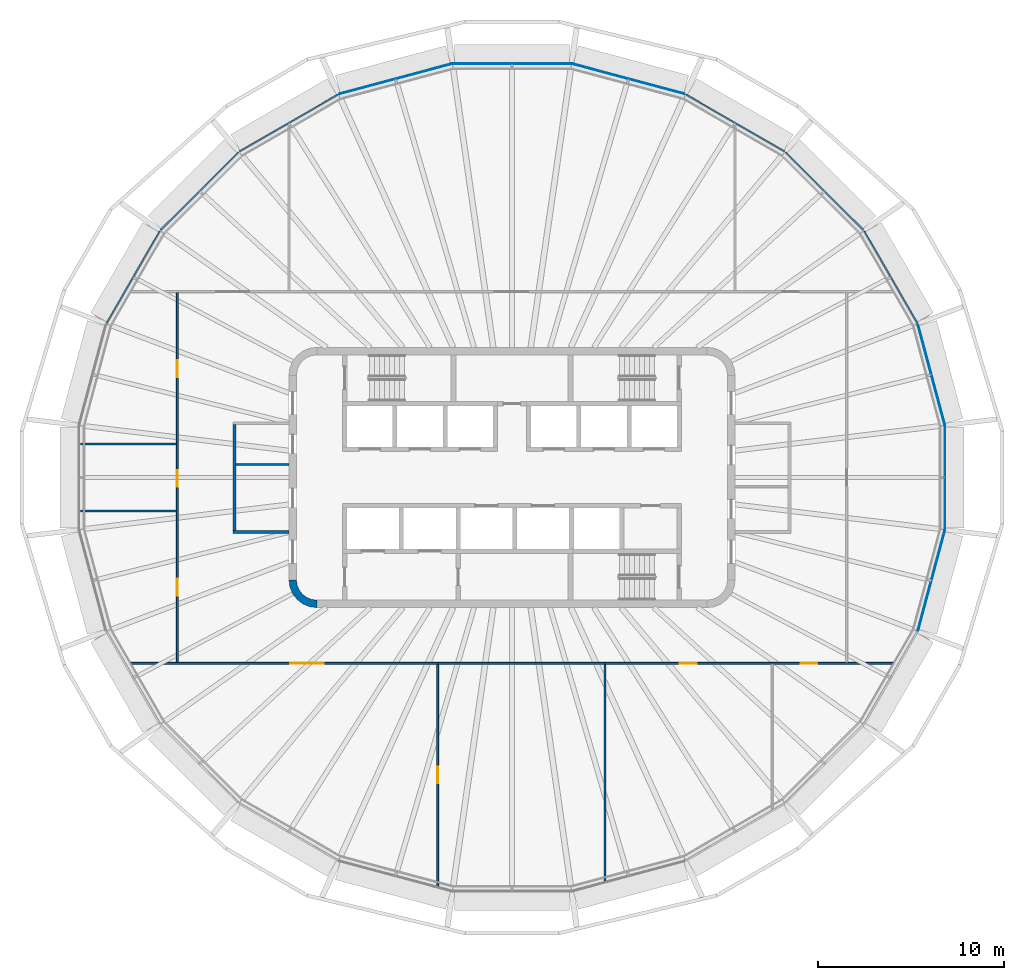
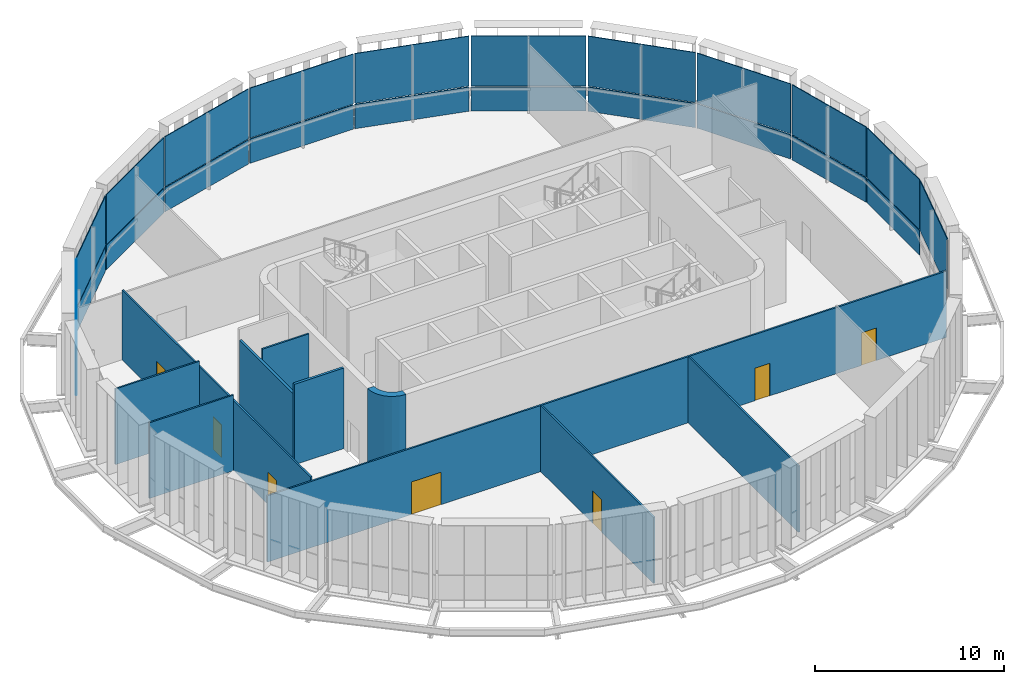
# One storey, part 6 of 16: 23 plates, 10 walls, 7 doors, 7 openings, 12 elements without a shape of their own.
"""IFC4 building model written with IfcOpenShell, lengths in metres."""

from ifc_helpers import new_model, si_unit, direction, frame, frame_2d, origin, place, context, subcontext, project, spatial, polyline, rectangle, outline, extrude, material, layer, layer_set, type_object, element, fill, aggregate, save


model = new_model("IFC4")

# Units and contexts
model_context = context("Model", 3, precision=1e-05, world=origin(), true_north=direction((0.0, 1.0)))
body_context = subcontext(model_context, "Body", "Model", "MODEL_VIEW")
ifc_project = project(units=[si_unit("LENGTHUNIT", "METRE"), si_unit("AREAUNIT", "SQUARE_METRE"), si_unit("VOLUMEUNIT", "CUBIC_METRE"), si_unit("PLANEANGLEUNIT", "RADIAN"), si_unit("MASSUNIT", "GRAM", prefix="KILO")], contexts=[model_context])

# Site, building, storey
site_placement = place(None, origin())
site = spatial("IfcSite", under=ifc_project, at=site_placement, CompositionType="ELEMENT")
building_placement = place(site_placement, origin())
building = spatial("IfcBuilding", under=site, at=building_placement, Name="Sahrelin Media Tower", CompositionType="ELEMENT")
storey_placement = place(building_placement, frame((0.0, 0.0, 324.39990234375)))
storey = spatial("IfcBuildingStorey", under=building, at=storey_placement, Name="L72", CompositionType="ELEMENT", Elevation=324.39990234375)

# Curtain wall, plates
ifc_material_1 = material(Name="Champagne anodised aluminium 6063-T6", Category="aluminium")
ifc_layer_1 = layer(ifc_material_1, 0.14990234375)
ifc_layer_set_1 = layer_set([ifc_layer_1], Name="Observation curtain wall")
curtain_wall_type = type_object("IfcCurtainWallType", Name="Observation curtain wall", PredefinedType="NOTDEFINED", material=ifc_layer_set_1)
curtain_wall_1_placement = place(storey_placement, frame((23.299072265625, 0.0, 0.0), z_axis=(0.0, 0.0, 1.0), x_axis=(1.0, 0.0, 0.0)))
curtain_wall_1 = element("IfcCurtainWall", 1, at=curtain_wall_1_placement, inside=storey, type_object=curtain_wall_type, Name="L72:CW:L72-00", PredefinedType="NOTDEFINED")
ifc_material_2 = material(Name="Clear low-iron glazing", Category="glass")
ifc_layer_2 = layer(ifc_material_2, 0.050048828125)
ifc_layer_set_2 = layer_set([ifc_layer_2], Name="Glazing panel 50 mm CW3")
plate_type = type_object("IfcPlateType", Name="Glazing panel 50 mm CW3", PredefinedType="CURTAIN_PANEL", material=ifc_layer_set_2)
plate_1_placement = place(storey_placement, frame((23.319091796875, -2.756103515625, 0.0), z_axis=(1.0, 0.0, 0.0), x_axis=(0.0, 1.0, 0.0)))
plate_1 = element("IfcPlate", 2, at=plate_1_placement, type_object=plate_type, Name="L72:CWP1:L72-00", PredefinedType="CURTAIN_PANEL", context=body_context, shape_type="SweptSolid", body=[
    extrude(outline(polyline([(0.0, 0.0), (5.51220703125, 0.0), (5.51220703125, 1.570068359375), (0.0, 1.570068359375), (0.0, 0.0)])), origin(), (0.0, 0.0, -1.0), 0.050048828125),
])
plate_2_placement = place(storey_placement, frame((23.319091796875, -2.756103515625, 1.630126953125), z_axis=(1.0, 0.0, 0.0), x_axis=(0.0, 1.0, 0.0)))
plate_2 = element("IfcPlate", 3, at=plate_2_placement, type_object=plate_type, Name="L72:CWP2:L72-00", PredefinedType="CURTAIN_PANEL", context=body_context, shape_type="SweptSolid", body=[
    extrude(outline(polyline([(0.0, 0.0), (5.51220703125, 0.0), (5.51220703125, 3.218505859375), (0.0, 3.218505859375), (0.0, 0.0)])), origin(), (0.0, 0.0, -1.0), 0.050048828125),
])
aggregate(curtain_wall_1, [plate_1, plate_2])

curtain_wall_2_placement = place(storey_placement, frame((22.56640625, 5.540283203125, 0.0), z_axis=(0.0, 0.0, 1.0), x_axis=(1.0, 0.0, 0.0)))
curtain_wall_2 = element("IfcCurtainWall", 4, at=curtain_wall_2_placement, inside=storey, type_object=curtain_wall_type, Name="L72:CW:L72-01", PredefinedType="NOTDEFINED")
plate_3_placement = place(storey_placement, frame((23.305419921875, 2.859619140625, 0.0), z_axis=(0.965927474667, 0.258812893194, 0.0), x_axis=(-0.258812893194, 0.965927474667, 0.0)))
plate_3 = element("IfcPlate", 5, at=plate_3_placement, type_object=plate_type, Name="L72:CWP1:L72-01", PredefinedType="CURTAIN_PANEL", context=body_context, shape_type="SweptSolid", body=[
    extrude(outline(polyline([(0.0, 0.0), (5.560791015625, 0.0), (5.560791015625, 1.570068359375), (0.0, 1.570068359375), (0.0, 0.0)])), origin(), (0.0, 0.0, -1.0), 0.050048828125),
])
plate_4_placement = place(storey_placement, frame((23.305419921875, 2.859619140625, 1.630126953125), z_axis=(0.965927474667, 0.258812893194, 0.0), x_axis=(-0.258812893194, 0.965927474667, 0.0)))
plate_4 = element("IfcPlate", 6, at=plate_4_placement, type_object=plate_type, Name="L72:CWP2:L72-01", PredefinedType="CURTAIN_PANEL", context=body_context, shape_type="SweptSolid", body=[
    extrude(outline(polyline([(0.0, 0.0), (5.560791015625, 0.0), (5.560791015625, 3.218505859375), (0.0, 3.218505859375), (0.0, 0.0)])), origin(), (0.0, 0.0, -1.0), 0.050048828125),
])
aggregate(curtain_wall_2, [plate_3, plate_4])

curtain_wall_3_placement = place(storey_placement, frame((20.385009765625, 10.783935546875, 0.0), z_axis=(0.0, 0.0, 1.0), x_axis=(1.0, 0.0, 0.0)))
curtain_wall_3 = element("IfcCurtainWall", 7, at=curtain_wall_3_placement, inside=storey, type_object=curtain_wall_type, Name="L72:CW:L72-02", PredefinedType="NOTDEFINED")
plate_5_placement = place(storey_placement, frame((21.826416015625, 8.327392578125, 0.0), z_axis=(0.866013566082, 0.500020502941, 0.0), x_axis=(-0.500020502941, 0.866013566082, 0.0)))
plate_5 = element("IfcPlate", 8, at=plate_5_placement, type_object=plate_type, Name="L72:CWP1:L72-02", PredefinedType="CURTAIN_PANEL", context=body_context, shape_type="SweptSolid", body=[
    extrude(outline(polyline([(0.0, 0.0), (5.696044921875, 0.0), (5.696044921875, 1.570068359375), (0.0, 1.570068359375), (0.0, 0.0)])), origin(), (0.0, 0.0, -1.0), 0.050048828125),
])
plate_6_placement = place(storey_placement, frame((21.826416015625, 8.327392578125, 1.630126953125), z_axis=(0.866013566082, 0.500020502941, 0.0), x_axis=(-0.500020502941, 0.866013566082, 0.0)))
plate_6 = element("IfcPlate", 9, at=plate_6_placement, type_object=plate_type, Name="L72:CWP2:L72-02", PredefinedType="CURTAIN_PANEL", context=body_context, shape_type="SweptSolid", body=[
    extrude(outline(polyline([(0.0, 0.0), (5.696044921875, 0.0), (5.696044921875, 3.218505859375), (0.0, 3.218505859375), (0.0, 0.0)])), origin(), (0.0, 0.0, -1.0), 0.050048828125),
])
aggregate(curtain_wall_3, [plate_5, plate_6])

curtain_wall_4_placement = place(storey_placement, frame((16.818359375, 15.4111328125, 0.0), z_axis=(0.0, 0.0, 1.0), x_axis=(1.0, 0.0, 0.0)))
curtain_wall_4 = element("IfcCurtainWall", 10, at=curtain_wall_4_placement, inside=storey, type_object=curtain_wall_type, Name="L72:CW:L72-03", PredefinedType="NOTDEFINED")
plate_7_placement = place(storey_placement, frame((18.914794921875, 13.343017578125, 0.0), z_axis=(0.707106781187, 0.707106781187, 0.0), x_axis=(-0.707106781187, 0.707106781187, 0.0)))
plate_7 = element("IfcPlate", 11, at=plate_7_placement, type_object=plate_type, Name="L72:CWP1:L72-03", PredefinedType="CURTAIN_PANEL", context=body_context, shape_type="SweptSolid", body=[
    extrude(outline(polyline([(0.0, 0.0), (5.8896484375, 0.0), (5.8896484375, 1.570068359375), (0.0, 1.570068359375), (0.0, 0.0)])), origin(), (0.0, 0.0, -1.0), 0.050048828125),
])
plate_8_placement = place(storey_placement, frame((18.914794921875, 13.343017578125, 1.630126953125), z_axis=(0.707106781187, 0.707106781187, 0.0), x_axis=(-0.707106781187, 0.707106781187, 0.0)))
plate_8 = element("IfcPlate", 12, at=plate_8_placement, type_object=plate_type, Name="L72:CWP2:L72-03", PredefinedType="CURTAIN_PANEL", context=body_context, shape_type="SweptSolid", body=[
    extrude(outline(polyline([(0.0, 0.0), (5.8896484375, 0.0), (5.8896484375, 3.218505859375), (0.0, 3.218505859375), (0.0, 0.0)])), origin(), (0.0, 0.0, -1.0), 0.050048828125),
])
aggregate(curtain_wall_4, [plate_7, plate_8])

curtain_wall_5_placement = place(storey_placement, frame((12.01904296875, 19.0771484375, 0.0), z_axis=(0.0, 0.0, 1.0), x_axis=(1.0, 0.0, 0.0)))
curtain_wall_5 = element("IfcCurtainWall", 13, at=curtain_wall_5_placement, inside=storey, type_object=curtain_wall_type, Name="L72:CW:L72-04", PredefinedType="NOTDEFINED")
plate_9_placement = place(storey_placement, frame((14.66748046875, 17.571044921875, 0.0), z_axis=(0.500004546124, 0.866022779063, 0.0), x_axis=(-0.866022779063, 0.500004546124, 0.0)))
plate_9 = element("IfcPlate", 14, at=plate_9_placement, type_object=plate_type, Name="L72:CWP1:L72-04", PredefinedType="CURTAIN_PANEL", context=body_context, shape_type="SweptSolid", body=[
    extrude(outline(polyline([(0.0, 0.0), (6.09326171875, 0.0), (6.09326171875, 1.570068359375), (0.0, 1.570068359375), (0.0, 0.0)])), origin(), (0.0, 0.0, -1.0), 0.050048828125),
])
plate_10_placement = place(storey_placement, frame((14.66748046875, 17.571044921875, 1.630126953125), z_axis=(0.500004546124, 0.866022779063, 0.0), x_axis=(-0.866022779063, 0.500004546124, 0.0)))
plate_10 = element("IfcPlate", 15, at=plate_10_placement, type_object=plate_type, Name="L72:CWP2:L72-04", PredefinedType="CURTAIN_PANEL", context=body_context, shape_type="SweptSolid", body=[
    extrude(outline(polyline([(0.0, 0.0), (6.09326171875, 0.0), (6.09326171875, 3.218505859375), (0.0, 3.218505859375), (0.0, 0.0)])), origin(), (0.0, 0.0, -1.0), 0.050048828125),
])
aggregate(curtain_wall_5, [plate_9, plate_10])

curtain_wall_6_placement = place(storey_placement, frame((6.270751953125, 21.447021484375, 0.0), z_axis=(0.0, 0.0, 1.0), x_axis=(1.0, 0.0, 0.0)))
curtain_wall_6 = element("IfcCurtainWall", 16, at=curtain_wall_6_placement, inside=storey, type_object=curtain_wall_type, Name="L72:CW:L72-05", PredefinedType="NOTDEFINED")
plate_11_placement = place(storey_placement, frame((9.294189453125, 20.65771484375, 0.0), z_axis=(0.25880768294, 0.9659288707, 0.0), x_axis=(-0.9659288707, 0.25880768294, 0.0)))
plate_11 = element("IfcPlate", 17, at=plate_11_placement, type_object=plate_type, Name="L72:CWP1:L72-05", PredefinedType="CURTAIN_PANEL", context=body_context, shape_type="SweptSolid", body=[
    extrude(outline(polyline([(0.0, 0.0), (6.24951171875, 0.0), (6.24951171875, 1.570068359375), (0.0, 1.570068359375), (0.0, 0.0)])), origin(), (0.0, 0.0, -1.0), 0.050048828125),
])
plate_12_placement = place(storey_placement, frame((9.294189453125, 20.65771484375, 1.630126953125), z_axis=(0.25880768294, 0.9659288707, 0.0), x_axis=(-0.9659288707, 0.25880768294, 0.0)))
plate_12 = element("IfcPlate", 18, at=plate_12_placement, type_object=plate_type, Name="L72:CWP2:L72-05", PredefinedType="CURTAIN_PANEL", context=body_context, shape_type="SweptSolid", body=[
    extrude(outline(polyline([(0.0, 0.0), (6.24951171875, 0.0), (6.24951171875, 3.218505859375), (0.0, 3.218505859375), (0.0, 0.0)])), origin(), (0.0, 0.0, -1.0), 0.050048828125),
])
aggregate(curtain_wall_6, [plate_11, plate_12])

curtain_wall_7_placement = place(storey_placement, frame((0.0, 22.268798828125, 0.0), z_axis=(0.0, 0.0, 1.0), x_axis=(1.0, 0.0, 0.0)))
curtain_wall_7 = element("IfcCurtainWall", 19, at=curtain_wall_7_placement, inside=storey, type_object=curtain_wall_type, Name="L72:CW:L72-06", PredefinedType="NOTDEFINED")
plate_13_placement = place(storey_placement, frame((3.154052734375, 22.288818359375, 0.0), z_axis=(0.0, 1.0, 0.0), x_axis=(-1.0, 0.0, 0.0)))
plate_13 = element("IfcPlate", 20, at=plate_13_placement, type_object=plate_type, Name="L72:CWP1:L72-06", PredefinedType="CURTAIN_PANEL", context=body_context, shape_type="SweptSolid", body=[
    extrude(outline(polyline([(0.0, 0.0), (6.30810546875, 0.0), (6.30810546875, 1.570068359375), (0.0, 1.570068359375), (0.0, 0.0)])), origin(), (0.0, 0.0, -1.0), 0.050048828125),
])
plate_14_placement = place(storey_placement, frame((3.154052734375, 22.288818359375, 1.630126953125), z_axis=(0.0, 1.0, 0.0), x_axis=(-1.0, 0.0, 0.0)))
plate_14 = element("IfcPlate", 21, at=plate_14_placement, type_object=plate_type, Name="L72:CWP2:L72-06", PredefinedType="CURTAIN_PANEL", context=body_context, shape_type="SweptSolid", body=[
    extrude(outline(polyline([(0.0, 0.0), (6.30810546875, 0.0), (6.30810546875, 3.218505859375), (0.0, 3.218505859375), (0.0, 0.0)])), origin(), (0.0, 0.0, -1.0), 0.050048828125),
])
aggregate(curtain_wall_7, [plate_13, plate_14])

curtain_wall_8_placement = place(storey_placement, frame((-6.270751953125, 21.447021484375, 0.0), z_axis=(0.0, 0.0, 1.0), x_axis=(1.0, 0.0, 0.0)))
curtain_wall_8 = element("IfcCurtainWall", 22, at=curtain_wall_8_placement, inside=storey, type_object=curtain_wall_type, Name="L72:CW:L72-07", PredefinedType="NOTDEFINED")
plate_15_placement = place(storey_placement, frame((-3.257568359375, 22.275146484375, 0.0), z_axis=(-0.25880768294, 0.9659288707, 0.0), x_axis=(-0.9659288707, -0.25880768294, 0.0)))
plate_15 = element("IfcPlate", 23, at=plate_15_placement, type_object=plate_type, Name="L72:CWP1:L72-07", PredefinedType="CURTAIN_PANEL", context=body_context, shape_type="SweptSolid", body=[
    extrude(outline(polyline([(0.0, 0.0), (6.24951171875, 0.0), (6.24951171875, 1.570068359375), (0.0, 1.570068359375), (0.0, 0.0)])), origin(), (0.0, 0.0, -1.0), 0.050048828125),
])
plate_16_placement = place(storey_placement, frame((-3.257568359375, 22.275146484375, 1.630126953125), z_axis=(-0.25880768294, 0.9659288707, 0.0), x_axis=(-0.9659288707, -0.25880768294, 0.0)))
plate_16 = element("IfcPlate", 24, at=plate_16_placement, type_object=plate_type, Name="L72:CWP2:L72-07", PredefinedType="CURTAIN_PANEL", context=body_context, shape_type="SweptSolid", body=[
    extrude(outline(polyline([(0.0, 0.0), (6.24951171875, 0.0), (6.24951171875, 3.218505859375), (0.0, 3.218505859375), (0.0, 0.0)])), origin(), (0.0, 0.0, -1.0), 0.050048828125),
])
aggregate(curtain_wall_8, [plate_15, plate_16])

curtain_wall_9_placement = place(storey_placement, frame((-12.01904296875, 19.0771484375, 0.0), z_axis=(0.0, 0.0, 1.0), x_axis=(1.0, 0.0, 0.0)))
curtain_wall_9 = element("IfcCurtainWall", 25, at=curtain_wall_9_placement, inside=storey, type_object=curtain_wall_type, Name="L72:CW:L72-08", PredefinedType="NOTDEFINED")
plate_17_placement = place(storey_placement, frame((-9.390625, 20.61767578125, 0.0), z_axis=(-0.500004546124, 0.866022779063, 0.0), x_axis=(-0.866022779063, -0.500004546124, 0.0)))
plate_17 = element("IfcPlate", 26, at=plate_17_placement, type_object=plate_type, Name="L72:CWP1:L72-08", PredefinedType="CURTAIN_PANEL", context=body_context, shape_type="SweptSolid", body=[
    extrude(outline(polyline([(0.0, 0.0), (6.09326171875, 0.0), (6.09326171875, 1.570068359375), (0.0, 1.570068359375), (0.0, 0.0)])), origin(), (0.0, 0.0, -1.0), 0.050048828125),
])
plate_18_placement = place(storey_placement, frame((-9.390625, 20.61767578125, 1.630126953125), z_axis=(-0.500004546124, 0.866022779063, 0.0), x_axis=(-0.866022779063, -0.500004546124, 0.0)))
plate_18 = element("IfcPlate", 27, at=plate_18_placement, type_object=plate_type, Name="L72:CWP2:L72-08", PredefinedType="CURTAIN_PANEL", context=body_context, shape_type="SweptSolid", body=[
    extrude(outline(polyline([(0.0, 0.0), (6.09326171875, 0.0), (6.09326171875, 3.218505859375), (0.0, 3.218505859375), (0.0, 0.0)])), origin(), (0.0, 0.0, -1.0), 0.050048828125),
])
aggregate(curtain_wall_9, [plate_17, plate_18])

curtain_wall_10_placement = place(storey_placement, frame((-16.818359375, 15.4111328125, 0.0), z_axis=(0.0, 0.0, 1.0), x_axis=(1.0, 0.0, 0.0)))
curtain_wall_10 = element("IfcCurtainWall", 28, at=curtain_wall_10_placement, inside=storey, type_object=curtain_wall_type, Name="L72:CW:L72-09", PredefinedType="NOTDEFINED")
plate_19_placement = place(storey_placement, frame((-14.750244140625, 17.507568359375, 0.0), z_axis=(-0.707106781187, 0.707106781187, 0.0), x_axis=(-0.707106781187, -0.707106781187, 0.0)))
plate_19 = element("IfcPlate", 29, at=plate_19_placement, type_object=plate_type, Name="L72:CWP1:L72-09", PredefinedType="CURTAIN_PANEL", context=body_context, shape_type="SweptSolid", body=[
    extrude(outline(polyline([(0.0, 0.0), (5.8896484375, 0.0), (5.8896484375, 1.570068359375), (0.0, 1.570068359375), (0.0, 0.0)])), origin(), (0.0, 0.0, -1.0), 0.050048828125),
])
plate_20_placement = place(storey_placement, frame((-14.750244140625, 17.507568359375, 1.630126953125), z_axis=(-0.707106781187, 0.707106781187, 0.0), x_axis=(-0.707106781187, -0.707106781187, 0.0)))
plate_20 = element("IfcPlate", 30, at=plate_20_placement, type_object=plate_type, Name="L72:CWP2:L72-09", PredefinedType="CURTAIN_PANEL", context=body_context, shape_type="SweptSolid", body=[
    extrude(outline(polyline([(0.0, 0.0), (5.8896484375, 0.0), (5.8896484375, 3.218505859375), (0.0, 3.218505859375), (0.0, 0.0)])), origin(), (0.0, 0.0, -1.0), 0.050048828125),
])
aggregate(curtain_wall_10, [plate_19, plate_20])

curtain_wall_11_placement = place(storey_placement, frame((-20.385009765625, 10.78369140625, 0.0), z_axis=(0.0, 0.0, 1.0), x_axis=(1.0, 0.0, 0.0)))
curtain_wall_11 = element("IfcCurtainWall", 31, at=curtain_wall_11_placement, inside=storey, type_object=curtain_wall_type, Name="L72:CW:L72-10", PredefinedType="NOTDEFINED")
plate_21_placement = place(storey_placement, frame((-18.978271484375, 13.26025390625, 0.0), z_axis=(-0.866013566082, 0.500020502941, 0.0), x_axis=(-0.500020502941, -0.866013566082, 0.0)))
plate_21 = element("IfcPlate", 32, at=plate_21_placement, type_object=plate_type, Name="L72:CWP1:L72-10", PredefinedType="CURTAIN_PANEL", context=body_context, shape_type="SweptSolid", body=[
    extrude(outline(polyline([(0.0, 0.0), (5.696044921875, 0.0), (5.696044921875, 1.570068359375), (0.0, 1.570068359375), (0.0, 0.0)])), origin(), (0.0, 0.0, -1.0), 0.050048828125),
])
plate_22_placement = place(storey_placement, frame((-18.978271484375, 13.26025390625, 1.630126953125), z_axis=(-0.866013566082, 0.500020502941, 0.0), x_axis=(-0.500020502941, -0.866013566082, 0.0)))
plate_22 = element("IfcPlate", 33, at=plate_22_placement, type_object=plate_type, Name="L72:CWP2:L72-10", PredefinedType="CURTAIN_PANEL", context=body_context, shape_type="SweptSolid", body=[
    extrude(outline(polyline([(0.0, 0.0), (5.696044921875, 0.0), (5.696044921875, 3.218505859375), (0.0, 3.218505859375), (0.0, 0.0)])), origin(), (0.0, 0.0, -1.0), 0.050048828125),
])
aggregate(curtain_wall_11, [plate_21, plate_22])

# Curtain wall, plate
curtain_wall_12_placement = place(storey_placement, frame((22.56640625, -5.540283203125, 0.0), z_axis=(0.0, 0.0, 1.0), x_axis=(1.0, 0.0, 0.0)))
curtain_wall_12 = element("IfcCurtainWall", 34, at=curtain_wall_12_placement, inside=storey, type_object=curtain_wall_type, Name="L72:CW:L72-23", PredefinedType="NOTDEFINED")
plate_23_placement = place(storey_placement, frame((21.8662109375, -8.23095703125, 1.630126953125), z_axis=(0.965927474667, -0.258812893194, 0.0), x_axis=(0.258812893194, 0.965927474667, 0.0)))
plate_23 = element("IfcPlate", 35, at=plate_23_placement, type_object=plate_type, Name="L72:CWP2:L72-23", PredefinedType="CURTAIN_PANEL", context=body_context, shape_type="SweptSolid", body=[
    extrude(outline(polyline([(0.0, 0.0), (5.560791015625, 0.0), (5.560791015625, 3.218505859375), (0.0, 3.218505859375), (0.0, 0.0)])), origin(), (0.0, 0.0, -1.0), 0.050048828125),
])
aggregate(curtain_wall_12, [plate_23])

# Walls
ifc_material_3 = material(Name="Concrete C60/75", Category="concrete")
ifc_layer_3 = layer(ifc_material_3, 0.39990234375)
ifc_layer_set_3 = layer_set([ifc_layer_3], Name="Core wall 400")
wall_type_1 = type_object("IfcWallType", Name="Core wall 400", PredefinedType="SHEAR", material=ifc_layer_set_3)
wall_1_placement = place(storey_placement, origin())
element("IfcWall", 36, at=wall_1_placement, inside=storey, type_object=wall_type_1, Name="Core wall corner SW L72", PredefinedType="SHEAR", context=body_context, shape_type="SweptSolid", body=[
    extrude(outline(polyline([(-10.5, -7.0), (-10.5, -6.596435546875), (-10.78369140625, -6.55908203125), (-11.04833984375, -6.44970703125), (-11.275390625, -6.275390625), (-11.44970703125, -6.04833984375), (-11.55908203125, -5.78369140625), (-11.596435546875, -5.5), (-12.0, -5.5), (-11.948974609375, -5.88818359375), (-11.799072265625, -6.25), (-11.560791015625, -6.560791015625), (-11.25, -6.799072265625), (-10.88818359375, -6.948974609375), (-10.5, -7.0)])), origin(), (0.0, 0.0, 1.0), 5.400146484375),
])
ifc_material_4 = material(Name="Fire-rated gypsum board partition")
ifc_layer_4 = layer(ifc_material_4, 0.10009765625)
ifc_layer_set_4 = layer_set([ifc_layer_4], Name="Fire-rated partition 100")
wall_type_2 = type_object("IfcWallType", Name="Fire-rated partition 100", PredefinedType="PARTITIONING", material=ifc_layer_set_4)
wall_2_placement = place(storey_placement, frame((-14.85009765625, 0.699951171875, 0.0), z_axis=(0.0, 0.0, 1.0), x_axis=(1.0, 0.0, 0.0)))
element("IfcWall", 37, at=wall_2_placement, inside=storey, type_object=wall_type_2, Name="Core room partition", PredefinedType="PARTITIONING", context=body_context, shape_type="SweptSolid", body=[
    extrude(rectangle(XDim=2.85009765625, YDim=0.10009765625, at=frame_2d((1.425048828125, 0.0))), origin(), (0.0, 0.0, 1.0), 5.2001953125),
])
ifc_layer_5 = layer(ifc_material_4, 0.14990234375)
ifc_layer_set_5 = layer_set([ifc_layer_5], Name="Fire-rated partition 150")
wall_type_3 = type_object("IfcWallType", Name="Fire-rated partition 150", PredefinedType="PARTITIONING", material=ifc_layer_set_5)
wall_3_placement = place(storey_placement, frame((-14.925048828125, -2.85009765625, 0.0), z_axis=(0.0, 0.0, 1.0), x_axis=(0.0, 1.0, 0.0)))
element("IfcWall", 38, at=wall_3_placement, inside=storey, type_object=wall_type_3, Name="Core room fire partition", PredefinedType="PARTITIONING", context=body_context, shape_type="SweptSolid", body=[
    extrude(rectangle(XDim=5.7001953125, YDim=0.14990234375, at=frame_2d((2.85009765625, 0.0))), origin(), (0.0, 0.0, 1.0), 4.502197265625),
])
wall_4_placement = place(storey_placement, frame((-15.0, -2.925048828125, 0.0), z_axis=(0.0, 0.0, 1.0), x_axis=(1.0, 0.0, 0.0)))
element("IfcWall", 39, at=wall_4_placement, inside=storey, type_object=wall_type_3, Name="Core room fire partition", PredefinedType="PARTITIONING", context=body_context, shape_type="SweptSolid", body=[
    extrude(rectangle(XDim=3.0, YDim=0.14990234375, at=frame_2d((1.5, 0.0))), origin(), (0.0, 0.0, 1.0), 5.2001953125),
])

# Wall, openings, doors
ifc_material_5 = material(Name="Gypsum board partition")
ifc_layer_6 = layer(ifc_material_5, 0.10009765625)
ifc_layer_set_6 = layer_set([ifc_layer_6], Name="Partition 100")
wall_type_4 = type_object("IfcWallType", Name="Partition 100", PredefinedType="PARTITIONING", material=ifc_layer_set_6)
wall_5_placement = place(storey_placement, frame((-20.721923828125, -10.0, 0.0), z_axis=(0.0, 0.0, 1.0), x_axis=(1.0, 0.0, 0.0)))
wall_5 = element("IfcWall", 40, at=wall_5_placement, inside=storey, type_object=wall_type_4, Name="Wall", PredefinedType="PARTITIONING", context=body_context, shape_type="SweptSolid", body=[
    extrude(rectangle(XDim=41.44384765625, YDim=0.10009765625, at=frame_2d((20.721923828125, 0.0))), origin(), (0.0, 0.0, 1.0), 4.277099609375),
])
opening_1_placement = place(wall_5_placement, frame((8.800048828125, 0.0, 0.0)))
opening_1 = element("IfcOpeningElement", 41, at=opening_1_placement, cuts=wall_5, Name="Opening L72-D19", PredefinedType="OPENING", context=body_context, shape_type="SweptSolid", body=[
    extrude(rectangle(XDim=1.800048828125, YDim=2.10009765625, at=frame_2d((0.89990234375, 1.050048828125))), frame((0.0, 0.050048828125, 0.0), z_axis=(0.0, -1.0, 0.0), x_axis=(1.0, 0.0, 0.0)), (0.0, 0.0, 1.0), 0.10009765625),
])
opening_2_placement = place(wall_5_placement, frame((29.75, 0.0, 0.0)))
opening_2 = element("IfcOpeningElement", 42, at=opening_2_placement, cuts=wall_5, Name="Opening L72-D21", PredefinedType="OPENING", context=body_context, shape_type="SweptSolid", body=[
    extrude(rectangle(XDim=0.89990234375, YDim=2.10009765625, at=frame_2d((0.449951171875, 1.050048828125))), frame((0.0, 0.050048828125, 0.0), z_axis=(0.0, -1.0, 0.0), x_axis=(1.0, 0.0, 0.0)), (0.0, 0.0, 1.0), 0.10009765625),
])
opening_3_placement = place(wall_5_placement, frame((36.25, 0.0, 0.0)))
opening_3 = element("IfcOpeningElement", 43, at=opening_3_placement, cuts=wall_5, Name="Opening L72-D22", PredefinedType="OPENING", context=body_context, shape_type="SweptSolid", body=[
    extrude(rectangle(XDim=0.89990234375, YDim=2.10009765625, at=frame_2d((0.449951171875, 1.050048828125))), frame((0.0, 0.050048828125, 0.0), z_axis=(0.0, -1.0, 0.0), x_axis=(1.0, 0.0, 0.0)), (0.0, 0.0, 1.0), 0.10009765625),
])
ifc_material_6 = material(Name="Timber door leaf", Category="wood")
door_type_1 = type_object("IfcDoorType", Name="Double door 1800 x 2100", OperationType="DOUBLE_DOOR_SINGLE_SWING", PredefinedType="DOOR", material=ifc_material_6)
door_1_placement = place(opening_1_placement, origin())
door_1 = element("IfcDoor", 44, at=door_1_placement, inside=storey, type_object=door_type_1, Name="Double door", OperationType="DOUBLE_DOOR_SINGLE_SWING", OverallHeight=2.10009765625, OverallWidth=1.800048828125, PredefinedType="DOOR", context=body_context, shape_type="SweptSolid", body=[
    extrude(rectangle(XDim=1.800048828125, YDim=2.10009765625, at=frame_2d((0.89990234375, 1.050048828125))), frame((0.0, 0.02490234375, 0.0), z_axis=(0.0, -1.0, 0.0), x_axis=(1.0, 0.0, 0.0)), (0.0, 0.0, 1.0), 0.050048828125),
])
fill(opening_1, door_1)
door_type_2 = type_object("IfcDoorType", Name="Single door 900 x 2100", OperationType="NOTDEFINED", PredefinedType="DOOR", material=ifc_material_6)
door_2_placement = place(opening_2_placement, origin())
door_2 = element("IfcDoor", 45, at=door_2_placement, inside=storey, type_object=door_type_2, Name="Single door", OperationType="SINGLE_SWING_RIGHT", OverallHeight=2.10009765625, OverallWidth=0.89990234375, PredefinedType="DOOR", context=body_context, shape_type="SweptSolid", body=[
    extrude(rectangle(XDim=0.89990234375, YDim=2.10009765625, at=frame_2d((0.449951171875, 1.050048828125))), frame((0.0, 0.02490234375, 0.0), z_axis=(0.0, -1.0, 0.0), x_axis=(1.0, 0.0, 0.0)), (0.0, 0.0, 1.0), 0.050048828125),
])
fill(opening_2, door_2)
door_3_placement = place(opening_3_placement, origin())
door_3 = element("IfcDoor", 46, at=door_3_placement, inside=storey, type_object=door_type_2, Name="Single door", OperationType="SINGLE_SWING_RIGHT", OverallHeight=2.10009765625, OverallWidth=0.89990234375, PredefinedType="DOOR", context=body_context, shape_type="SweptSolid", body=[
    extrude(rectangle(XDim=0.89990234375, YDim=2.10009765625, at=frame_2d((0.449951171875, 1.050048828125))), frame((0.0, 0.02490234375, 0.0), z_axis=(0.0, -1.0, 0.0), x_axis=(1.0, 0.0, 0.0)), (0.0, 0.0, 1.0), 0.050048828125),
])
fill(opening_3, door_3)

wall_6_placement = place(storey_placement, frame((-18.0, -9.949951171875, 0.0), z_axis=(0.0, 0.0, 1.0), x_axis=(0.0, 1.0, 0.0)))
wall_6 = element("IfcWall", 47, at=wall_6_placement, inside=storey, type_object=wall_type_4, Name="Wall", PredefinedType="PARTITIONING", context=body_context, shape_type="SweptSolid", body=[
    extrude(rectangle(XDim=19.89990234375, YDim=0.10009765625, at=frame_2d((9.949951171875, 0.0))), origin(), (0.0, 0.0, 1.0), 4.502197265625),
])
opening_4_placement = place(wall_6_placement, frame((3.60009765625, 0.0, 0.0)))
opening_4 = element("IfcOpeningElement", 48, at=opening_4_placement, cuts=wall_6, Name="Opening L72-D24", PredefinedType="OPENING", context=body_context, shape_type="SweptSolid", body=[
    extrude(rectangle(XDim=0.89990234375, YDim=2.10009765625, at=frame_2d((0.449951171875, 1.050048828125))), frame((0.0, 0.050048828125, 0.0), z_axis=(0.0, -1.0, 0.0), x_axis=(1.0, 0.0, 0.0)), (0.0, 0.0, 1.0), 0.10009765625),
])
opening_5_placement = place(wall_6_placement, frame((9.449951171875, 0.0, 0.0)))
opening_5 = element("IfcOpeningElement", 49, at=opening_5_placement, cuts=wall_6, Name="Opening L72-D25", PredefinedType="OPENING", context=body_context, shape_type="SweptSolid", body=[
    extrude(rectangle(XDim=0.89990234375, YDim=2.10009765625, at=frame_2d((0.449951171875, 1.050048828125))), frame((0.0, 0.050048828125, 0.0), z_axis=(0.0, -1.0, 0.0), x_axis=(1.0, 0.0, 0.0)), (0.0, 0.0, 1.0), 0.10009765625),
])
opening_6_placement = place(wall_6_placement, frame((15.35009765625, 0.0, 0.0)))
opening_6 = element("IfcOpeningElement", 50, at=opening_6_placement, cuts=wall_6, Name="Opening L72-D26", PredefinedType="OPENING", context=body_context, shape_type="SweptSolid", body=[
    extrude(rectangle(XDim=0.89990234375, YDim=2.10009765625, at=frame_2d((0.449951171875, 1.050048828125))), frame((0.0, 0.050048828125, 0.0), z_axis=(0.0, -1.0, 0.0), x_axis=(1.0, 0.0, 0.0)), (0.0, 0.0, 1.0), 0.10009765625),
])
door_4_placement = place(opening_4_placement, origin())
door_4 = element("IfcDoor", 51, at=door_4_placement, inside=storey, type_object=door_type_2, Name="Single door", OperationType="SINGLE_SWING_LEFT", OverallHeight=2.10009765625, OverallWidth=0.89990234375, PredefinedType="DOOR", context=body_context, shape_type="SweptSolid", body=[
    extrude(rectangle(XDim=0.89990234375, YDim=2.10009765625, at=frame_2d((0.449951171875, 1.050048828125))), frame((0.0, 0.02490234375, 0.0), z_axis=(0.0, -1.0, 0.0), x_axis=(1.0, 0.0, 0.0)), (0.0, 0.0, 1.0), 0.050048828125),
])
fill(opening_4, door_4)
door_5_placement = place(opening_5_placement, origin())
door_5 = element("IfcDoor", 52, at=door_5_placement, inside=storey, type_object=door_type_2, Name="Single door", OperationType="SINGLE_SWING_LEFT", OverallHeight=2.10009765625, OverallWidth=0.89990234375, PredefinedType="DOOR", context=body_context, shape_type="SweptSolid", body=[
    extrude(rectangle(XDim=0.89990234375, YDim=2.10009765625, at=frame_2d((0.449951171875, 1.050048828125))), frame((0.0, 0.02490234375, 0.0), z_axis=(0.0, -1.0, 0.0), x_axis=(1.0, 0.0, 0.0)), (0.0, 0.0, 1.0), 0.050048828125),
])
fill(opening_5, door_5)
door_6_placement = place(opening_6_placement, origin())
door_6 = element("IfcDoor", 53, at=door_6_placement, inside=storey, type_object=door_type_2, Name="Single door", OperationType="SINGLE_SWING_RIGHT", OverallHeight=2.10009765625, OverallWidth=0.89990234375, PredefinedType="DOOR", context=body_context, shape_type="SweptSolid", body=[
    extrude(rectangle(XDim=0.89990234375, YDim=2.10009765625, at=frame_2d((0.449951171875, 1.050048828125))), frame((0.0, 0.02490234375, 0.0), z_axis=(0.0, -1.0, 0.0), x_axis=(1.0, 0.0, 0.0)), (0.0, 0.0, 1.0), 0.050048828125),
])
fill(opening_6, door_6)

# Wall, opening, door
wall_7_placement = place(storey_placement, frame((-4.0, -10.050048828125, 0.0), z_axis=(0.0, 0.0, 1.0), x_axis=(0.0, -1.0, 0.0)))
wall_7 = element("IfcWall", 54, at=wall_7_placement, inside=storey, type_object=wall_type_4, Name="Wall", PredefinedType="PARTITIONING", context=body_context, shape_type="SweptSolid", body=[
    extrude(rectangle(XDim=11.90185546875, YDim=0.10009765625, at=frame_2d((5.950927734375, 0.0))), origin(), (0.0, 0.0, 1.0), 4.277099609375),
])
opening_7_placement = place(wall_7_placement, frame((5.5, 0.0, 0.0)))
opening_7 = element("IfcOpeningElement", 55, at=opening_7_placement, cuts=wall_7, Name="Opening L72-D20", PredefinedType="OPENING", context=body_context, shape_type="SweptSolid", body=[
    extrude(rectangle(XDim=0.89990234375, YDim=2.10009765625, at=frame_2d((0.449951171875, 1.050048828125))), frame((0.0, 0.050048828125, 0.0), z_axis=(0.0, -1.0, 0.0), x_axis=(1.0, 0.0, 0.0)), (0.0, 0.0, 1.0), 0.10009765625),
])
door_7_placement = place(opening_7_placement, origin())
door_7 = element("IfcDoor", 56, at=door_7_placement, inside=storey, type_object=door_type_2, Name="Single door", OperationType="SINGLE_SWING_LEFT", OverallHeight=2.10009765625, OverallWidth=0.89990234375, PredefinedType="DOOR", context=body_context, shape_type="SweptSolid", body=[
    extrude(rectangle(XDim=0.89990234375, YDim=2.10009765625, at=frame_2d((0.449951171875, 1.050048828125))), frame((0.0, 0.02490234375, 0.0), z_axis=(0.0, -1.0, 0.0), x_axis=(1.0, 0.0, 0.0)), (0.0, 0.0, 1.0), 0.050048828125),
])
fill(opening_7, door_7)

# Walls
wall_8_placement = place(storey_placement, frame((5.0, -10.050048828125, 0.0), z_axis=(0.0, 0.0, 1.0), x_axis=(0.0, -1.0, 0.0)))
element("IfcWall", 57, at=wall_8_placement, inside=storey, type_object=wall_type_4, Name="Wall", PredefinedType="PARTITIONING", context=body_context, shape_type="SweptSolid", body=[
    extrude(rectangle(XDim=11.634033203125, YDim=0.10009765625, at=frame_2d((5.81689453125, 0.0))), origin(), (0.0, 0.0, 1.0), 4.277099609375),
])
for number, where, z_axis, x_axis, name in (
    (58, (-18.050048828125, -1.800048828125, 0.0), (0.0, 0.0, 1.0), (-1.0, 0.0, 0.0), "Wall"),
    (59, (-18.050048828125, 1.800048828125, 0.0), (0.0, 0.0, 1.0), (-1.0, 0.0, 0.0), "Wall"),
):
    element("IfcWall", number, at=place(storey_placement, frame(where, z_axis=z_axis, x_axis=x_axis)), inside=storey, type_object=wall_type_4, Name=name, PredefinedType="PARTITIONING", context=body_context, shape_type="SweptSolid", body=[
        extrude(rectangle(XDim=5.149169921875, YDim=0.10009765625, at=frame_2d((2.57470703125, 0.0))), origin(), (0.0, 0.0, 1.0), 4.876708984375),
    ])

save(model, "model.ifc")
